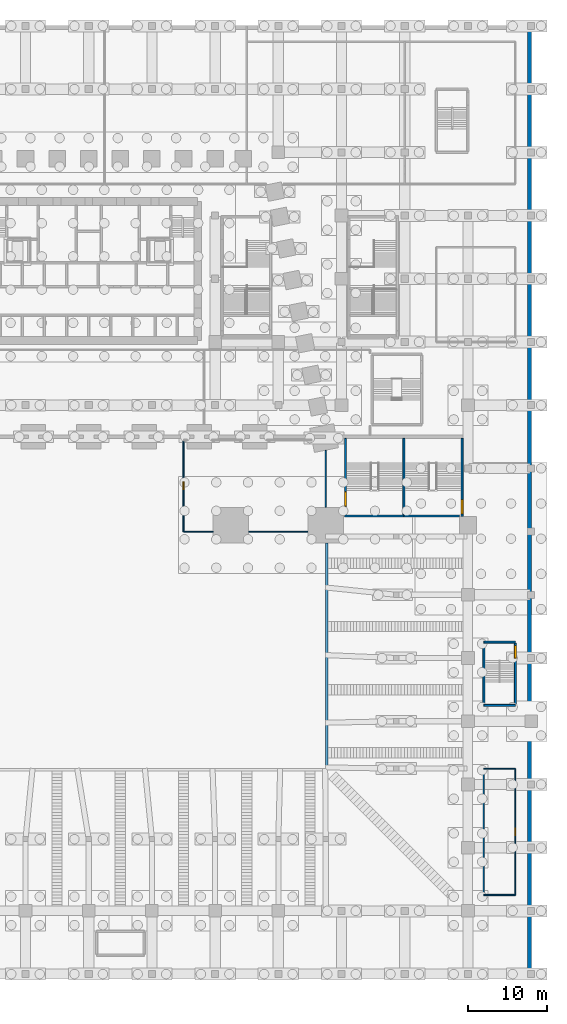
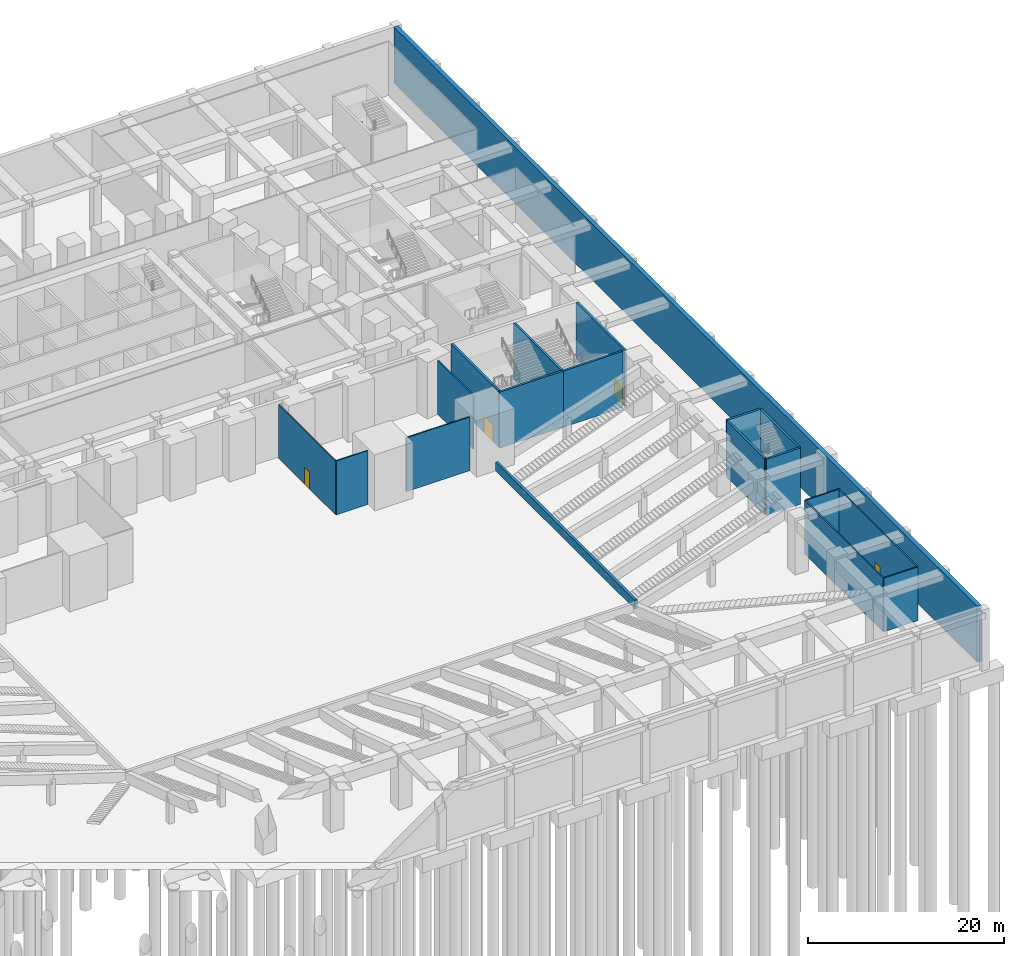
# One storey, part 9 of 30: 19 walls, 5 doors, 5 openings.
"""IFC4 building model written with IfcOpenShell, lengths in metres."""

from ifc_helpers import new_model, si_unit, direction, frame, frame_2d, origin, place, context, subcontext, project, spatial, rectangle, extrude, material, layer, layer_set, type_object, element, fill, save


model = new_model("IFC4")

# Units and contexts
model_context = context("Model", 3, precision=1e-05, world=origin(), true_north=direction((0.0, 1.0)))
body_context = subcontext(model_context, "Body", "Model", "MODEL_VIEW")
ifc_project = project(units=[si_unit("LENGTHUNIT", "METRE"), si_unit("AREAUNIT", "SQUARE_METRE"), si_unit("VOLUMEUNIT", "CUBIC_METRE"), si_unit("PLANEANGLEUNIT", "RADIAN"), si_unit("MASSUNIT", "GRAM", prefix="KILO")], contexts=[model_context])

# Site, building, storey
site_placement = place(None, origin())
site = spatial("IfcSite", under=ifc_project, at=site_placement, CompositionType="ELEMENT")
building_placement = place(site_placement, origin())
building = spatial("IfcBuilding", under=site, at=building_placement, Name="Isbrekke Arena Tower", CompositionType="ELEMENT")
storey_placement = place(building_placement, frame((0.0, 0.0, -7.0)))
storey = spatial("IfcBuildingStorey", under=building, at=storey_placement, Name="B1", CompositionType="ELEMENT", Elevation=-7.0)

# Wall
ifc_material_1 = material(Name="Concrete B45 (C45/55)", Category="concrete")
ifc_layer_1 = layer(ifc_material_1, 0.300048828125)
ifc_layer_set_1 = layer_set([ifc_layer_1], Name="AW2 ARENA PLINTH WALL 300")
wall_type_1 = type_object("IfcWallType", Name="AW2 ARENA PLINTH WALL 300", PredefinedType="SHEAR", material=ifc_layer_set_1)
wall_1_placement = place(storey_placement, frame((30.14990234375, -47.85009765625, 0.0), z_axis=(0.0, 0.0, 1.0), x_axis=(0.0, 1.0, 0.0)))
element("IfcWall", 1, at=wall_1_placement, inside=storey, type_object=wall_type_1, Name="Arena plinth wall E", PredefinedType="SHEAR", context=body_context, shape_type="SweptSolid", body=[
    extrude(rectangle(XDim=28.425048828125, YDim=0.300048828125, at=frame_2d((14.21240234375, 0.0))), origin(), (0.0, 0.0, 1.0), 1.10009765625),
])

# Wall, opening, door
ifc_material_2 = material(Name="Gypsum board partition on steel studs", Category="steel")
ifc_layer_2 = layer(ifc_material_2, 0.14990234375)
ifc_layer_set_2 = layer_set([ifc_layer_2], Name="IW1 PARTITION 150")
wall_type_2 = type_object("IfcWallType", Name="IW1 PARTITION 150", PredefinedType="PARTITIONING", material=ifc_layer_set_2)
wall_2_placement = place(storey_placement, frame((12.0, -18.0, 0.0), z_axis=(0.0, 0.0, 1.0), x_axis=(0.0, 1.0, 0.0)))
wall_2 = element("IfcWall", 2, at=wall_2_placement, inside=storey, type_object=wall_type_2, Name="IW1 partition B1", PredefinedType="PARTITIONING", context=body_context, shape_type="SweptSolid", body=[
    extrude(rectangle(XDim=11.60009765625, YDim=0.14990234375, at=frame_2d((5.800048828125, 0.0))), origin(), (0.0, 0.0, 1.0), 6.699951171875),
])
opening_1_placement = place(wall_2_placement, frame((5.300048828125, 0.0, 0.0)))
opening_1 = element("IfcOpeningElement", 3, at=opening_1_placement, cuts=wall_2, Name="Opening D6", PredefinedType="OPENING", context=body_context, shape_type="SweptSolid", body=[
    extrude(rectangle(XDim=1.0, YDim=2.10009765625, at=frame_2d((0.5, 1.050048828125))), frame((0.0, 0.08984375, 0.0), z_axis=(0.0, -1.0, 0.0), x_axis=(1.0, 0.0, 0.0)), (0.0, 0.0, 1.0), 0.1796875),
])
ifc_material_3 = material(Name="Timber door", Category="wood")
door_type_1 = type_object("IfcDoorType", Name="D6 ROOM DOOR 1000 x 2100", OperationType="SINGLE_SWING_LEFT", PredefinedType="DOOR", material=ifc_material_3)
door_1_placement = place(opening_1_placement, origin())
door_1 = element("IfcDoor", 4, at=door_1_placement, inside=storey, type_object=door_type_1, Name="D6 door B1-18", OperationType="SINGLE_SWING_LEFT", OverallHeight=2.10009765625, OverallWidth=1.0, PredefinedType="DOOR", context=body_context, shape_type="SweptSolid", body=[
    extrude(rectangle(XDim=1.0, YDim=2.10009765625, at=frame_2d((0.5, 1.050048828125))), frame((0.0, 0.07470703125, 0.0), z_axis=(0.0, -1.0, 0.0), x_axis=(1.0, 0.0, 0.0)), (0.0, 0.0, 1.0), 0.1494140625),
])
fill(opening_1, door_1)

# Walls
wall_3_placement = place(storey_placement, frame((30.0, -14.9150390625, 0.0), z_axis=(0.0, 0.0, 1.0), x_axis=(0.0, 1.0, 0.0)))
element("IfcWall", 5, at=wall_3_placement, inside=storey, type_object=wall_type_2, Name="IW1 partition B1", PredefinedType="PARTITIONING", context=body_context, shape_type="SweptSolid", body=[
    extrude(rectangle(XDim=7.193359375, YDim=0.14990234375, at=frame_2d((3.5966796875, 0.0))), origin(), (0.0, 0.0, 1.0), 6.699951171875),
])
wall_4_placement = place(storey_placement, frame((50.0, -64.0, 0.0), z_axis=(0.0, 0.0, 1.0), x_axis=(0.0, 1.0, 0.0)))
element("IfcWall", 6, at=wall_4_placement, inside=storey, type_object=wall_type_2, Name="IW1 partition B1", PredefinedType="PARTITIONING", context=body_context, shape_type="SweptSolid", body=[
    extrude(rectangle(XDim=16.0, YDim=0.14990234375, at=frame_2d((8.0, 0.0))), origin(), (0.0, 0.0, 1.0), 6.699951171875),
])

# Wall, opening, door
wall_5_placement = place(storey_placement, frame((54.0, -64.0, 0.0), z_axis=(0.0, 0.0, 1.0), x_axis=(0.0, 1.0, 0.0)))
wall_5 = element("IfcWall", 7, at=wall_5_placement, inside=storey, type_object=wall_type_2, Name="IW1 partition B1", PredefinedType="PARTITIONING", context=body_context, shape_type="SweptSolid", body=[
    extrude(rectangle(XDim=16.0, YDim=0.14990234375, at=frame_2d((8.0, 0.0))), origin(), (0.0, 0.0, 1.0), 6.699951171875),
])
opening_2_placement = place(wall_5_placement, frame((7.5, 0.0, 0.0)))
opening_2 = element("IfcOpeningElement", 8, at=opening_2_placement, cuts=wall_5, Name="Opening D6", PredefinedType="OPENING", context=body_context, shape_type="SweptSolid", body=[
    extrude(rectangle(XDim=1.0, YDim=2.10009765625, at=frame_2d((0.5, 1.050048828125))), frame((0.0, 0.08984375, 0.0), z_axis=(0.0, -1.0, 0.0), x_axis=(1.0, 0.0, 0.0)), (0.0, 0.0, 1.0), 0.1796875),
])
door_2_placement = place(opening_2_placement, origin())
door_2 = element("IfcDoor", 9, at=door_2_placement, inside=storey, type_object=door_type_1, Name="D6 door B1-13", OperationType="SINGLE_SWING_LEFT", OverallHeight=2.10009765625, OverallWidth=1.0, PredefinedType="DOOR", context=body_context, shape_type="SweptSolid", body=[
    extrude(rectangle(XDim=1.0, YDim=2.10009765625, at=frame_2d((0.5, 1.050048828125))), frame((0.0, 0.07470703125, 0.0), z_axis=(0.0, -1.0, 0.0), x_axis=(1.0, 0.0, 0.0)), (0.0, 0.0, 1.0), 0.1494140625),
])
fill(opening_2, door_2)

# Walls
for number, where, z_axis, x_axis, name in (
    (10, (50.0, -64.0, 0.0), (0.0, 0.0, 1.0), (1.0, 0.0, 0.0), "IW1 partition B1"),
    (11, (50.0, -48.0, 0.0), (0.0, 0.0, 1.0), (1.0, 0.0, 0.0), "IW1 partition B1"),
):
    element("IfcWall", number, at=place(storey_placement, frame(where, z_axis=z_axis, x_axis=x_axis)), inside=storey, type_object=wall_type_2, Name=name, PredefinedType="PARTITIONING", context=body_context, shape_type="SweptSolid", body=[
        extrude(rectangle(XDim=4.0, YDim=0.14990234375, at=frame_2d((2.0, 0.0))), origin(), (0.0, 0.0, 1.0), 6.699951171875),
    ])
wall_6_placement = place(storey_placement, frame((12.0, -18.0, 0.0), z_axis=(0.0, 0.0, 1.0), x_axis=(1.0, 0.0, 0.0)))
element("IfcWall", 12, at=wall_6_placement, inside=storey, type_object=wall_type_2, Name="IW1 partition B1", PredefinedType="PARTITIONING", context=body_context, shape_type="SweptSolid", body=[
    extrude(rectangle(XDim=3.739990234375, YDim=0.14990234375, at=frame_2d((1.8701171875, 0.0))), origin(), (0.0, 0.0, 1.0), 6.699951171875),
])
wall_7_placement = place(storey_placement, frame((20.260009765625, -18.0, 0.0), z_axis=(0.0, 0.0, 1.0), x_axis=(1.0, 0.0, 0.0)))
element("IfcWall", 13, at=wall_7_placement, inside=storey, type_object=wall_type_2, Name="IW1 partition B1", PredefinedType="PARTITIONING", context=body_context, shape_type="SweptSolid", body=[
    extrude(rectangle(XDim=7.47998046875, YDim=0.14990234375, at=frame_2d((3.739990234375, 0.0))), origin(), (0.0, 0.0, 1.0), 6.699951171875),
])
ifc_material_4 = material(Name="Concrete B45 (C45/55)", Category="concrete")
ifc_layer_3 = layer(ifc_material_4, 0.5)
ifc_layer_set_3 = layer_set([ifc_layer_3], Name="RW1 BASEMENT RETAINING WALL 500")
wall_type_3 = type_object("IfcWallType", Name="RW1 BASEMENT RETAINING WALL 500", PredefinedType="SOLIDWALL", material=ifc_layer_set_3)
wall_8_placement = place(storey_placement, frame((55.77490234375, -73.550048828125, 0.0), z_axis=(0.0, 0.0, 1.0), x_axis=(0.0, 1.0, 0.0)))
element("IfcWall", 14, at=wall_8_placement, inside=storey, type_object=wall_type_3, Name="RW1 retaining wall E", PredefinedType="SOLIDWALL", context=body_context, shape_type="SweptSolid", body=[
    extrude(rectangle(XDim=119.10009765625, YDim=0.5, at=frame_2d((59.550048828125, 0.0))), origin(), (0.0, 0.0, 1.0), 7.0),
])
ifc_material_5 = material(Name="Concrete B45 (C45/55)", Category="concrete")
ifc_layer_4 = layer(ifc_material_5, 0.25)
ifc_layer_set_4 = layer_set([ifc_layer_4], Name="SW1 STAIR ENCLOSURE WALL 250")
wall_type_4 = type_object("IfcWallType", Name="SW1 STAIR ENCLOSURE WALL 250", PredefinedType="SOLIDWALL", material=ifc_layer_set_4)
for number, where, z_axis, x_axis, name in (
    (15, (50.0, -40.0, 0.0), (0.0, 0.0, 1.0), (1.0, 0.0, 0.0), "SW1 stair wall P3 S B1"),
    (16, (54.0, -32.0, 0.0), (0.0, 0.0, 1.0), (-1.0, 0.0, 0.0), "SW1 stair wall P3 N B1"),
):
    element("IfcWall", number, at=place(storey_placement, frame(where, z_axis=z_axis, x_axis=x_axis)), inside=storey, type_object=wall_type_4, Name=name, PredefinedType="SOLIDWALL", context=body_context, shape_type="SweptSolid", body=[
        extrude(rectangle(XDim=4.0, YDim=0.25, at=frame_2d((2.0, 0.0))), origin(), (0.0, 0.0, 1.0), 7.0),
    ])

# Wall, opening, door
wall_9_placement = place(storey_placement, frame((54.0, -39.875, 0.0), z_axis=(0.0, 0.0, 1.0), x_axis=(0.0, 1.0, 0.0)))
wall_9 = element("IfcWall", 17, at=wall_9_placement, inside=storey, type_object=wall_type_4, Name="SW1 stair wall P3 E B1", PredefinedType="SOLIDWALL", context=body_context, shape_type="SweptSolid", body=[
    extrude(rectangle(XDim=7.75, YDim=0.25, at=frame_2d((3.875, 0.0))), origin(), (0.0, 0.0, 1.0), 7.0),
])
opening_3_placement = place(wall_9_placement, frame((5.85009765625, 0.0, 0.0)))
opening_3 = element("IfcOpeningElement", 18, at=opening_3_placement, cuts=wall_9, Name="Opening D7", PredefinedType="OPENING", context=body_context, shape_type="SweptSolid", body=[
    extrude(rectangle(XDim=1.60009765625, YDim=2.10009765625, at=frame_2d((0.800048828125, 1.050048828125))), frame((0.0, 0.139892578125, 0.0), z_axis=(0.0, -1.0, 0.0), x_axis=(1.0, 0.0, 0.0)), (0.0, 0.0, 1.0), 0.27978515625),
])
ifc_material_6 = material(Name="Steel fire door", Category="steel")
door_type_2 = type_object("IfcDoorType", Name="D7 PODIUM STAIR DOOR 1600 x 2100", OperationType="DOUBLE_DOOR_SINGLE_SWING", PredefinedType="DOOR", material=ifc_material_6)
door_3_placement = place(opening_3_placement, origin())
door_3 = element("IfcDoor", 19, at=door_3_placement, inside=storey, type_object=door_type_2, Name="D7 stair door P3 B1", OperationType="DOUBLE_DOOR_SINGLE_SWING", OverallHeight=2.10009765625, OverallWidth=1.60009765625, PredefinedType="DOOR", context=body_context, shape_type="SweptSolid", body=[
    extrude(rectangle(XDim=1.60009765625, YDim=2.10009765625, at=frame_2d((0.800048828125, 1.050048828125))), frame((0.0, 0.124755859375, 0.0), z_axis=(0.0, -1.0, 0.0), x_axis=(1.0, 0.0, 0.0)), (0.0, 0.0, 1.0), 0.24951171875),
])
fill(opening_3, door_3)

# Walls
wall_10_placement = place(storey_placement, frame((50.0, -32.125, 0.0), z_axis=(0.0, 0.0, 1.0), x_axis=(0.0, -1.0, 0.0)))
element("IfcWall", 20, at=wall_10_placement, inside=storey, type_object=wall_type_4, Name="SW1 stair wall P3 W B1", PredefinedType="SOLIDWALL", context=body_context, shape_type="SweptSolid", body=[
    extrude(rectangle(XDim=7.75, YDim=0.25, at=frame_2d((3.875, 0.0))), origin(), (0.0, 0.0, 1.0), 7.0),
])
ifc_material_7 = material(Name="Concrete B45 (C45/55)", Category="concrete")
ifc_layer_5 = layer(ifc_material_7, 0.25)
ifc_layer_set_5 = layer_set([ifc_layer_5], Name="SW2 EXIT STAIR WALL 250")
wall_type_5 = type_object("IfcWallType", Name="SW2 EXIT STAIR WALL 250", PredefinedType="SOLIDWALL", material=ifc_layer_set_5)
wall_11_placement = place(storey_placement, frame((32.375, -16.02490234375, 0.0), z_axis=(0.0, 0.0, 1.0), x_axis=(1.0, 0.0, 0.0)))
element("IfcWall", 21, at=wall_11_placement, inside=storey, type_object=wall_type_5, Name="SW2 exit stair wall ES1 B1", PredefinedType="SOLIDWALL", context=body_context, shape_type="SweptSolid", body=[
    extrude(rectangle(XDim=7.5, YDim=0.25, at=frame_2d((3.75, 0.0))), origin(), (0.0, 0.0, 1.0), 7.0),
])
wall_12_placement = place(storey_placement, frame((39.875, -16.02490234375, 0.0), z_axis=(0.0, 0.0, 1.0), x_axis=(1.0, 0.0, 0.0)))
element("IfcWall", 22, at=wall_12_placement, inside=storey, type_object=wall_type_5, Name="SW2 exit stair wall ES2 B1", PredefinedType="SOLIDWALL", context=body_context, shape_type="SweptSolid", body=[
    extrude(rectangle(XDim=7.02490234375, YDim=0.25, at=frame_2d((3.512451171875, 0.0))), origin(), (0.0, 0.0, 1.0), 7.0),
])

# Wall, opening, door
wall_13_placement = place(storey_placement, frame((32.5, -15.89990234375, 0.0), z_axis=(0.0, 0.0, 1.0), x_axis=(0.0, 1.0, 0.0)))
wall_13 = element("IfcWall", 23, at=wall_13_placement, inside=storey, type_object=wall_type_5, Name="SW2 exit stair wall EW B1", PredefinedType="SOLIDWALL", context=body_context, shape_type="SweptSolid", body=[
    extrude(rectangle(XDim=9.699951171875, YDim=0.25, at=frame_2d((4.85009765625, 0.0))), origin(), (0.0, 0.0, 1.0), 7.0),
])
opening_4_placement = place(wall_13_placement, frame((1.1201171875, 0.0, 0.0)))
opening_4 = element("IfcOpeningElement", 24, at=opening_4_placement, cuts=wall_13, Name="Opening D9", PredefinedType="OPENING", context=body_context, shape_type="SweptSolid", body=[
    extrude(rectangle(XDim=1.800048828125, YDim=2.10009765625, at=frame_2d((0.89990234375, 1.050048828125))), frame((0.0, 0.139892578125, 0.0), z_axis=(0.0, -1.0, 0.0), x_axis=(1.0, 0.0, 0.0)), (0.0, 0.0, 1.0), 0.27978515625),
])
ifc_material_8 = material(Name="Steel fire door", Category="steel")
door_type_3 = type_object("IfcDoorType", Name="D9 EXIT STAIR DOOR 1800 x 2100", OperationType="DOUBLE_DOOR_SINGLE_SWING", PredefinedType="DOOR", material=ifc_material_8)
door_4_placement = place(opening_4_placement, frame((1.800048828125, 0.0, 0.0), z_axis=(0.0, 0.0, 1.0), x_axis=(-1.0, 0.0, 0.0)))
door_4 = element("IfcDoor", 25, at=door_4_placement, inside=storey, type_object=door_type_3, Name="D9 exit stair door X1 B1", OperationType="DOUBLE_DOOR_SINGLE_SWING", OverallHeight=2.10009765625, OverallWidth=1.800048828125, PredefinedType="DOOR", context=body_context, shape_type="SweptSolid", body=[
    extrude(rectangle(XDim=1.800048828125, YDim=2.10009765625, at=frame_2d((0.89990234375, 1.050048828125))), frame((0.0, 0.124755859375, 0.0), z_axis=(0.0, -1.0, 0.0), x_axis=(1.0, 0.0, 0.0)), (0.0, 0.0, 1.0), 0.24951171875),
])
fill(opening_4, door_4)

# Wall
wall_14_placement = place(storey_placement, frame((39.875, -15.89990234375, 0.0), z_axis=(0.0, 0.0, 1.0), x_axis=(0.0, 1.0, 0.0)))
element("IfcWall", 26, at=wall_14_placement, inside=storey, type_object=wall_type_5, Name="SW2 exit stair wall EM B1", PredefinedType="SOLIDWALL", context=body_context, shape_type="SweptSolid", body=[
    extrude(rectangle(XDim=9.699951171875, YDim=0.25, at=frame_2d((4.85009765625, 0.0))), origin(), (0.0, 0.0, 1.0), 7.0),
])

# Wall, opening, door
wall_15_placement = place(storey_placement, frame((47.25, -16.074951171875, 0.0), z_axis=(0.0, 0.0, 1.0), x_axis=(0.0, 1.0, 0.0)))
wall_15 = element("IfcWall", 27, at=wall_15_placement, inside=storey, type_object=wall_type_5, Name="SW2 exit stair wall EE B1", PredefinedType="SOLIDWALL", context=body_context, shape_type="SweptSolid", body=[
    extrude(rectangle(XDim=9.875, YDim=0.25, at=frame_2d((4.9375, 0.0))), origin(), (0.0, 0.0, 1.0), 7.0),
])
opening_5_placement = place(wall_15_placement, frame((0.324951171875, 0.0, 0.0)))
opening_5 = element("IfcOpeningElement", 28, at=opening_5_placement, cuts=wall_15, Name="Opening D9", PredefinedType="OPENING", context=body_context, shape_type="SweptSolid", body=[
    extrude(rectangle(XDim=1.800048828125, YDim=2.10009765625, at=frame_2d((0.89990234375, 1.050048828125))), frame((0.0, 0.139892578125, 0.0), z_axis=(0.0, -1.0, 0.0), x_axis=(1.0, 0.0, 0.0)), (0.0, 0.0, 1.0), 0.27978515625),
])
door_5_placement = place(opening_5_placement, origin())
door_5 = element("IfcDoor", 29, at=door_5_placement, inside=storey, type_object=door_type_3, Name="D9 exit stair door X2 B1", OperationType="DOUBLE_DOOR_SINGLE_SWING", OverallHeight=2.10009765625, OverallWidth=1.800048828125, PredefinedType="DOOR", context=body_context, shape_type="SweptSolid", body=[
    extrude(rectangle(XDim=1.800048828125, YDim=2.10009765625, at=frame_2d((0.89990234375, 1.050048828125))), frame((0.0, 0.124755859375, 0.0), z_axis=(0.0, -1.0, 0.0), x_axis=(1.0, 0.0, 0.0)), (0.0, 0.0, 1.0), 0.24951171875),
])
fill(opening_5, door_5)

save(model, "model.ifc")
